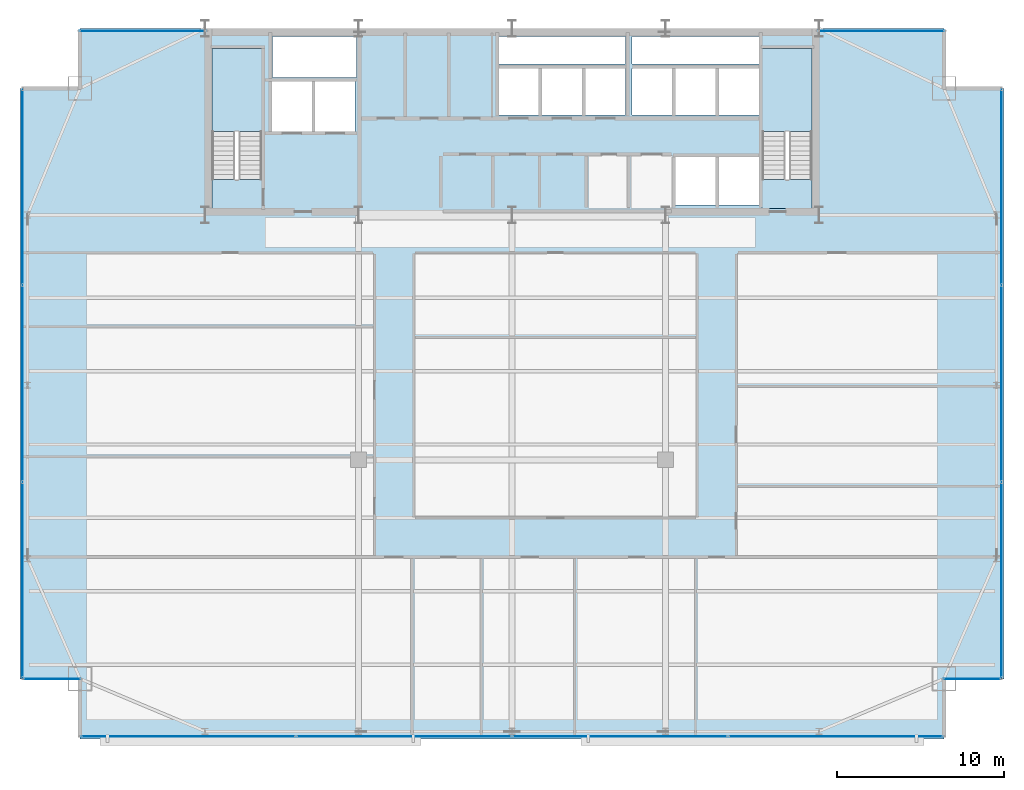
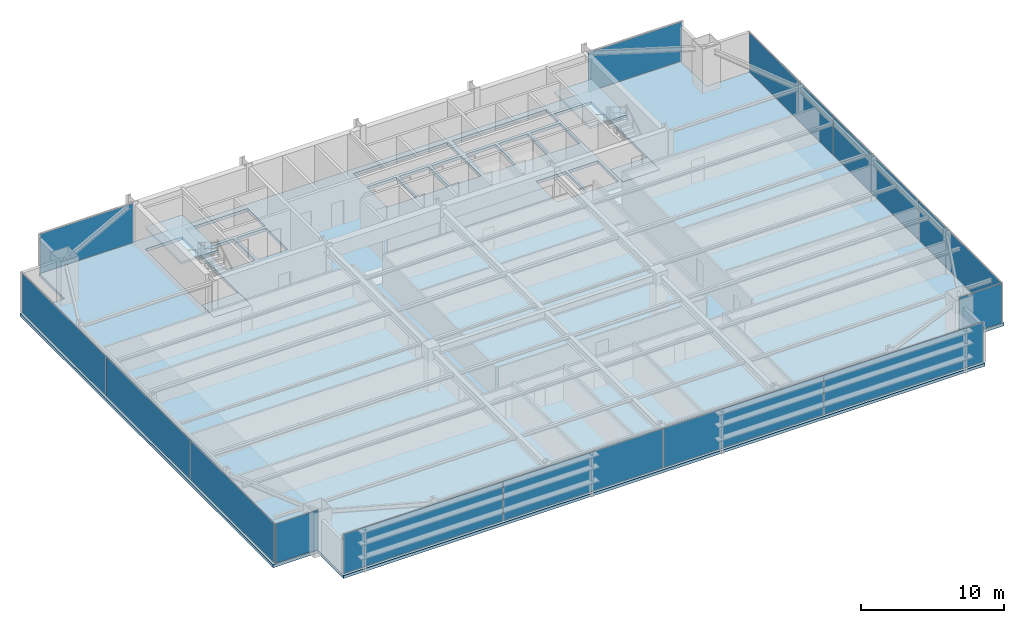
# One storey, part 26 of 33: 14 plates, 5 slabs, 9 elements without a shape of their own.
"""IFC4 building model written with IfcOpenShell, lengths in metres."""

from ifc_helpers import new_model, si_unit, direction, frame, origin, origin_2d, place, context, subcontext, project, spatial, polyline, rectangle, outline, extrude, source, transform, mapped, material, layer, layer_set, type_object, type_shapes, element, aggregate, save


model = new_model("IFC4")

# Units and contexts
model_context = context("Model", 3, precision=1e-05, world=origin(), true_north=direction((0.0, 1.0)))
body_context = subcontext(model_context, "Body", "Model", "MODEL_VIEW")
ifc_project = project(units=[si_unit("LENGTHUNIT", "METRE"), si_unit("AREAUNIT", "SQUARE_METRE"), si_unit("VOLUMEUNIT", "CUBIC_METRE"), si_unit("PLANEANGLEUNIT", "RADIAN"), si_unit("MASSUNIT", "GRAM", prefix="KILO")], contexts=[model_context])

# Site, building, storey
site_placement = place(None, origin())
site = spatial("IfcSite", under=ifc_project, at=site_placement, CompositionType="ELEMENT")
building_placement = place(site_placement, origin())
building = spatial("IfcBuilding", under=site, at=building_placement, Name="Varnel Quay Broadcast Tower", CompositionType="ELEMENT")
storey_placement = place(building_placement, frame((0.0, 0.0, 137.199951171875)))
storey = spatial("IfcBuildingStorey", under=building, at=storey_placement, Name="L33", CompositionType="ELEMENT", Elevation=137.199951171875)

# Slabs
ifc_material_1 = material(Name="Concrete CSA A23.3 C50/60", Category="concrete")
ifc_layer_1 = layer(ifc_material_1, 0.25, Name="Concrete CSA A23.3 C50/60")
ifc_layer_set_1 = layer_set([ifc_layer_1], Name="Concrete CSA A23.3 C50/60")
slab_type_1 = type_object("IfcSlabType", Name="Slab_Floor250", PredefinedType="FLOOR", material=ifc_layer_set_1)
slab_1_placement = place(storey_placement, frame((0.0, 0.0, -0.25)))
element("IfcSlab", 1, at=slab_1_placement, inside=storey, type_object=slab_type_1, Name="L33 Structural Slab", PredefinedType="FLOOR", context=body_context, shape_type="SweptSolid", body=[
    extrude(outline(polyline([(8.10009765625, 4.199951171875), (59.89990234375, 4.199951171875), (59.89990234375, 7.800048828125), (63.5, 7.800048828125), (63.5, 43.199951171875), (59.89990234375, 43.199951171875), (59.89990234375, 46.800048828125), (8.10009765625, 46.800048828125), (8.10009765625, 43.199951171875), (4.5, 43.199951171875), (4.5, 7.800048828125), (8.10009765625, 7.800048828125), (8.10009765625, 4.199951171875)]), holes=[polyline([(19.0, 36.0), (16.0, 36.0), (16.0, 45.60009765625), (19.0, 45.60009765625), (19.0, 36.0)]), polyline([(19.60009765625, 43.60009765625), (22.0, 43.60009765625), (22.0, 40.60009765625), (19.60009765625, 40.60009765625), (19.60009765625, 43.60009765625)]), polyline([(22.199951171875, 43.60009765625), (24.60009765625, 43.60009765625), (24.60009765625, 40.60009765625), (22.199951171875, 40.60009765625), (22.199951171875, 43.60009765625)]), polyline([(33.199951171875, 44.39990234375), (35.60009765625, 44.39990234375), (35.60009765625, 41.60009765625), (33.199951171875, 41.60009765625), (33.199951171875, 44.39990234375)]), polyline([(35.800048828125, 44.39990234375), (38.199951171875, 44.39990234375), (38.199951171875, 41.60009765625), (35.800048828125, 41.60009765625), (35.800048828125, 44.39990234375)]), polyline([(38.39990234375, 44.39990234375), (40.800048828125, 44.39990234375), (40.800048828125, 41.60009765625), (38.39990234375, 41.60009765625), (38.39990234375, 44.39990234375)]), polyline([(19.64990234375, 46.300048828125), (24.679931640625, 46.300048828125), (24.679931640625, 43.85009765625), (19.64990234375, 43.85009765625), (19.64990234375, 46.300048828125)]), polyline([(33.199951171875, 46.300048828125), (40.800048828125, 46.300048828125), (40.800048828125, 44.64990234375), (33.199951171875, 44.64990234375), (33.199951171875, 46.300048828125)]), polyline([(43.800048828125, 39.10009765625), (46.199951171875, 39.10009765625), (46.199951171875, 36.199951171875), (43.800048828125, 36.199951171875), (43.800048828125, 39.10009765625)]), polyline([(46.39990234375, 39.10009765625), (48.800048828125, 39.10009765625), (48.800048828125, 36.199951171875), (46.39990234375, 36.199951171875), (46.39990234375, 39.10009765625)]), polyline([(49.0, 36.0), (49.0, 45.60009765625), (52.0, 45.60009765625), (52.0, 36.0), (49.0, 36.0)]), polyline([(41.199951171875, 44.39990234375), (43.60009765625, 44.39990234375), (43.60009765625, 41.60009765625), (41.199951171875, 41.60009765625), (41.199951171875, 44.39990234375)]), polyline([(43.800048828125, 44.39990234375), (46.199951171875, 44.39990234375), (46.199951171875, 41.60009765625), (43.800048828125, 41.60009765625), (43.800048828125, 44.39990234375)]), polyline([(46.39990234375, 44.39990234375), (48.800048828125, 44.39990234375), (48.800048828125, 41.60009765625), (46.39990234375, 41.60009765625), (46.39990234375, 44.39990234375)]), polyline([(41.199951171875, 46.300048828125), (48.800048828125, 46.300048828125), (48.800048828125, 44.64990234375), (41.199951171875, 44.64990234375), (41.199951171875, 46.300048828125)])]), origin(), (0.0, 0.0, 1.0), 0.25),
])
ifc_layer_2 = layer(ifc_material_1, 0.25, Name="Concrete CSA A23.3 C50/60")
ifc_layer_set_2 = layer_set([ifc_layer_2], Name="Concrete CSA A23.3 C50/60")
slab_type_2 = type_object("IfcSlabType", Name="Slab_StairFloorLanding250", PredefinedType="FLOOR", material=ifc_layer_set_2)
slab_2_placement = place(storey_placement, frame((0.0, 0.0, -0.25)))
element("IfcSlab", 2, at=slab_2_placement, inside=storey, type_object=slab_type_2, Name="L33 ST-01 Structural Floor Landing Slab", PredefinedType="FLOOR", context=body_context, shape_type="SweptSolid", body=[
    extrude(outline(polyline([(19.0, 36.0), (19.0, 37.75), (16.0, 37.75), (16.0, 36.0), (19.0, 36.0)])), origin(), (0.0, 0.0, 1.0), 0.25),
])
slab_3_placement = place(storey_placement, frame((0.0, 0.0, -0.25)))
element("IfcSlab", 3, at=slab_3_placement, inside=storey, type_object=slab_type_2, Name="L33 ST-02 Structural Floor Landing Slab", PredefinedType="FLOOR", context=body_context, shape_type="SweptSolid", body=[
    extrude(outline(polyline([(52.0, 36.0), (52.0, 37.75), (49.0, 37.75), (49.0, 36.0), (52.0, 36.0)])), origin(), (0.0, 0.0, 1.0), 0.25),
])

# Stair, slab
ifc_material_2 = material(Name="Precast Structural Concrete C40/50", Category="concrete")
stair_type_1 = type_object("IfcStairType", Name="Stair_ST-01", PredefinedType="HALF_TURN_STAIR", material=ifc_material_2)
stair_1_placement = place(storey_placement, origin())
stair_1 = element("IfcStair", 4, at=stair_1_placement, inside=storey, type_object=stair_type_1, Name="L33 West Core Exit Stair 1", PredefinedType="HALF_TURN_STAIR")
ifc_layer_3 = layer(ifc_material_2, 0.199951171875, Name="Precast Structural Concrete C40/50")
ifc_layer_set_3 = layer_set([ifc_layer_3], Name="Precast Structural Concrete C40/50")
slab_type_3 = type_object("IfcSlabType", Name="Slab_StairLanding200", PredefinedType="LANDING", material=ifc_layer_set_3)
slab_4_placement = place(storey_placement, frame((0.0, 0.0, 1.699951171875)))
slab_4 = element("IfcSlab", 5, at=slab_4_placement, type_object=slab_type_3, Name="ST-01 landing 1", PredefinedType="LANDING", context=body_context, shape_type="SweptSolid", body=[
    extrude(outline(polyline([(19.0, 40.60009765625), (19.0, 45.60009765625), (16.0, 45.60009765625), (16.0, 40.60009765625), (19.0, 40.60009765625)])), origin(), (0.0, 0.0, 1.0), 0.2001953125),
])
aggregate(stair_1, [slab_4])

stair_type_2 = type_object("IfcStairType", Name="Stair_ST-02", PredefinedType="HALF_TURN_STAIR", material=ifc_material_2)
stair_2_placement = place(storey_placement, origin())
stair_2 = element("IfcStair", 6, at=stair_2_placement, inside=storey, type_object=stair_type_2, Name="L33 East Core Exit Stair 2", PredefinedType="HALF_TURN_STAIR")
slab_5_placement = place(storey_placement, frame((0.0, 0.0, 1.699951171875)))
slab_5 = element("IfcSlab", 7, at=slab_5_placement, type_object=slab_type_3, Name="ST-02 landing 1", PredefinedType="LANDING", context=body_context, shape_type="SweptSolid", body=[
    extrude(outline(polyline([(52.0, 40.60009765625), (52.0, 45.60009765625), (49.0, 45.60009765625), (49.0, 40.60009765625), (52.0, 40.60009765625)])), origin(), (0.0, 0.0, 1.0), 0.2001953125),
])
aggregate(stair_2, [slab_5])

# Curtain wall, plates
ifc_material_3 = material(Name="Anodised Bronze Aluminium 6063-T6", Category="aluminium")
ifc_layer_4 = layer(ifc_material_3, 0.18994140625, Name="Anodised Bronze Aluminium 6063-T6")
ifc_layer_set_4 = layer_set([ifc_layer_4], Name="Anodised Bronze Aluminium 6063-T6")
curtain_wall_type_1 = type_object("IfcCurtainWallType", Name="CW_LowerTower", PredefinedType="NOTDEFINED", material=ifc_layer_set_4)
curtain_wall_1_placement = place(storey_placement, origin())
curtain_wall_1 = element("IfcCurtainWall", 8, at=curtain_wall_1_placement, inside=storey, type_object=curtain_wall_type_1, Name="L33 South Unitised Curtain Wall 1", PredefinedType="NOTDEFINED")
ifc_material_4 = material(Name="Triple-Glazed Bronze Low-E Architectural Glass", Category="glass")
ifc_layer_5 = layer(ifc_material_4, 0.031982421875, Name="Triple-Glazed Bronze Low-E Architectural Glass")
ifc_layer_set_5 = layer_set([ifc_layer_5], Name="Triple-Glazed Bronze Low-E Architectural Glass")
plate_type_1 = type_object("IfcPlateType", Name="Panel_CWS-02", PredefinedType="CURTAIN_PANEL", material=ifc_layer_set_5)
shared_shape_1 = source(origin(), body_context, "Body", "SweptSolid", [
    extrude(rectangle(XDim=12.844970703125, YDim=0.031982421875, at=origin_2d()), origin(), (0.0, 0.0, 1.0), 3.360107421875),
])
plate_1_placement = place(storey_placement, frame((14.592529296875, 4.35009765625, 0.06005859375), z_axis=(0.0, 0.0, 1.0), x_axis=(1.0, 0.0, 0.0)))
plate_1 = element("IfcPlate", 9, at=plate_1_placement, type_object=plate_type_1, Name="CWS-02 panel 1.1", PredefinedType="CURTAIN_PANEL", context=body_context, shape_type="MappedRepresentation", body=[
    mapped(shared_shape_1, transform((0.0, 0.0, 0.0), x_axis=(1.0, 0.0, 0.0), y_axis=(0.0, 1.0, 0.0), z_axis=(0.0, 0.0, 1.0), scale=1.0)),
])
plate_2_placement = place(storey_placement, frame((53.407470703125, 4.35009765625, 0.06005859375), z_axis=(0.0, 0.0, 1.0), x_axis=(1.0, 0.0, 0.0)))
plate_2 = element("IfcPlate", 10, at=plate_2_placement, type_object=plate_type_1, Name="CWS-02 panel 4.1", PredefinedType="CURTAIN_PANEL", context=body_context, shape_type="MappedRepresentation", body=[
    mapped(shared_shape_1, transform((0.0, 0.0, 0.0), x_axis=(1.0, 0.0, 0.0), y_axis=(0.0, 1.0, 0.0), z_axis=(0.0, 0.0, 1.0), scale=1.0)),
])
ifc_material_5 = material(Name="Insulated Bronze Spandrel Glass", Category="glass")
ifc_layer_6 = layer(ifc_material_5, 0.031982421875, Name="Insulated Bronze Spandrel Glass")
ifc_layer_set_6 = layer_set([ifc_layer_6], Name="Insulated Bronze Spandrel Glass")
plate_type_2 = type_object("IfcPlateType", Name="PanelSp_CWS-02", PredefinedType="CURTAIN_PANEL", material=ifc_layer_set_6)
shared_shape_2 = source(origin(), body_context, "Body", "SweptSolid", [
    extrude(rectangle(XDim=12.8798828125, YDim=0.031982421875, at=origin_2d()), origin(), (0.0, 0.0, 1.0), 3.360107421875),
])
plate_3_placement = place(storey_placement, frame((27.52490234375, 4.35009765625, 0.06005859375), z_axis=(0.0, 0.0, 1.0), x_axis=(1.0, 0.0, 0.0)))
plate_3 = element("IfcPlate", 11, at=plate_3_placement, type_object=plate_type_2, Name="CWS-02 panel 2.1", PredefinedType="CURTAIN_PANEL", context=body_context, shape_type="MappedRepresentation", body=[
    mapped(shared_shape_2, transform((0.0, 0.0, 0.0), x_axis=(1.0, 0.0, 0.0), y_axis=(0.0, 1.0, 0.0), z_axis=(0.0, 0.0, 1.0), scale=1.0)),
])
plate_4_placement = place(storey_placement, frame((40.47509765625, 4.35009765625, 0.06005859375), z_axis=(0.0, 0.0, 1.0), x_axis=(1.0, 0.0, 0.0)))
plate_4 = element("IfcPlate", 12, at=plate_4_placement, type_object=plate_type_2, Name="CWS-02 panel 3.1", PredefinedType="CURTAIN_PANEL", context=body_context, shape_type="MappedRepresentation", body=[
    mapped(shared_shape_2, transform((0.0, 0.0, 0.0), x_axis=(1.0, 0.0, 0.0), y_axis=(0.0, 1.0, 0.0), z_axis=(0.0, 0.0, 1.0), scale=1.0)),
])
aggregate(curtain_wall_1, [plate_1, plate_3, plate_4, plate_2])

curtain_wall_2_placement = place(storey_placement, origin())
curtain_wall_2 = element("IfcCurtainWall", 13, at=curtain_wall_2_placement, inside=storey, type_object=curtain_wall_type_1, Name="L33 West Unitised Curtain Wall", PredefinedType="NOTDEFINED")
shared_shape_3 = source(origin(), body_context, "Body", "SweptSolid", [
    extrude(rectangle(XDim=11.695068359375, YDim=0.031982421875, at=origin_2d()), origin(), (0.0, 0.0, 1.0), 3.360107421875),
])
type_shapes(plate_type_2, [shared_shape_2, shared_shape_3])
plate_5_placement = place(storey_placement, frame((4.64990234375, 13.717529296875, 0.06005859375), z_axis=(0.0, 0.0, 1.0), x_axis=(0.0, 1.0, 0.0)))
plate_5 = element("IfcPlate", 14, at=plate_5_placement, type_object=plate_type_2, Name="CWS-02 panel 1.1", PredefinedType="CURTAIN_PANEL", context=body_context, shape_type="MappedRepresentation", body=[
    mapped(shared_shape_3, transform((0.0, 0.0, 0.0), x_axis=(1.0, 0.0, 0.0), y_axis=(0.0, 1.0, 0.0), z_axis=(0.0, 0.0, 1.0), scale=1.0)),
])
plate_6_placement = place(storey_placement, frame((4.64990234375, 37.282470703125, 0.06005859375), z_axis=(0.0, 0.0, 1.0), x_axis=(0.0, 1.0, 0.0)))
plate_6 = element("IfcPlate", 15, at=plate_6_placement, type_object=plate_type_2, Name="CWS-02 panel 3.1", PredefinedType="CURTAIN_PANEL", context=body_context, shape_type="MappedRepresentation", body=[
    mapped(shared_shape_3, transform((0.0, 0.0, 0.0), x_axis=(1.0, 0.0, 0.0), y_axis=(0.0, 1.0, 0.0), z_axis=(0.0, 0.0, 1.0), scale=1.0)),
])

curtain_wall_3_placement = place(storey_placement, origin())
curtain_wall_3 = element("IfcCurtainWall", 16, at=curtain_wall_3_placement, inside=storey, type_object=curtain_wall_type_1, Name="L33 East Unitised Curtain Wall", PredefinedType="NOTDEFINED")
plate_7_placement = place(storey_placement, frame((63.35009765625, 13.717529296875, 0.06005859375), z_axis=(0.0, 0.0, 1.0), x_axis=(0.0, 1.0, 0.0)))
plate_7 = element("IfcPlate", 17, at=plate_7_placement, type_object=plate_type_2, Name="CWS-02 panel 1.1", PredefinedType="CURTAIN_PANEL", context=body_context, shape_type="MappedRepresentation", body=[
    mapped(shared_shape_3, transform((0.0, 0.0, 0.0), x_axis=(1.0, 0.0, 0.0), y_axis=(0.0, 1.0, 0.0), z_axis=(0.0, 0.0, 1.0), scale=1.0)),
])
plate_8_placement = place(storey_placement, frame((63.35009765625, 37.282470703125, 0.06005859375), z_axis=(0.0, 0.0, 1.0), x_axis=(0.0, 1.0, 0.0)))
plate_8 = element("IfcPlate", 18, at=plate_8_placement, type_object=plate_type_2, Name="CWS-02 panel 3.1", PredefinedType="CURTAIN_PANEL", context=body_context, shape_type="MappedRepresentation", body=[
    mapped(shared_shape_3, transform((0.0, 0.0, 0.0), x_axis=(1.0, 0.0, 0.0), y_axis=(0.0, 1.0, 0.0), z_axis=(0.0, 0.0, 1.0), scale=1.0)),
])

# Plate
shared_shape_4 = source(origin(), body_context, "Body", "SweptSolid", [
    extrude(rectangle(XDim=11.72998046875, YDim=0.031982421875, at=origin_2d()), origin(), (0.0, 0.0, 1.0), 3.360107421875),
])
plate_9_placement = place(storey_placement, frame((4.64990234375, 25.5, 0.06005859375), z_axis=(0.0, 0.0, 1.0), x_axis=(0.0, 1.0, 0.0)))
plate_9 = element("IfcPlate", 19, at=plate_9_placement, type_object=plate_type_1, Name="CWS-02 panel 2.1", PredefinedType="CURTAIN_PANEL", context=body_context, shape_type="MappedRepresentation", body=[
    mapped(shared_shape_4, transform((0.0, 0.0, 0.0), x_axis=(1.0, 0.0, 0.0), y_axis=(0.0, 1.0, 0.0), z_axis=(0.0, 0.0, 1.0), scale=1.0)),
])

aggregate(curtain_wall_2, [plate_5, plate_9, plate_6])

plate_10_placement = place(storey_placement, frame((63.35009765625, 25.5, 0.06005859375), z_axis=(0.0, 0.0, 1.0), x_axis=(0.0, 1.0, 0.0)))
plate_10 = element("IfcPlate", 20, at=plate_10_placement, type_object=plate_type_1, Name="CWS-02 panel 2.1", PredefinedType="CURTAIN_PANEL", context=body_context, shape_type="MappedRepresentation", body=[
    mapped(shared_shape_4, transform((0.0, 0.0, 0.0), x_axis=(1.0, 0.0, 0.0), y_axis=(0.0, 1.0, 0.0), z_axis=(0.0, 0.0, 1.0), scale=1.0)),
])

aggregate(curtain_wall_3, [plate_7, plate_10, plate_8])

# Curtain wall, plate
ifc_layer_7 = layer(ifc_material_3, 0.18994140625, Name="Anodised Bronze Aluminium 6063-T6")
ifc_layer_set_7 = layer_set([ifc_layer_7], Name="Anodised Bronze Aluminium 6063-T6")
curtain_wall_type_2 = type_object("IfcCurtainWallType", Name="CW_NotchCorner", PredefinedType="NOTDEFINED", material=ifc_layer_set_7)
curtain_wall_4_placement = place(storey_placement, origin())
curtain_wall_4 = element("IfcCurtainWall", 21, at=curtain_wall_4_placement, inside=storey, type_object=curtain_wall_type_2, Name="L33 SW Notch Curtain Wall", PredefinedType="NOTDEFINED")
ifc_layer_8 = layer(ifc_material_4, 0.028076171875, Name="Triple-Glazed Bronze Low-E Architectural Glass")
ifc_layer_set_8 = layer_set([ifc_layer_8], Name="Triple-Glazed Bronze Low-E Architectural Glass")
plate_type_3 = type_object("IfcPlateType", Name="Panel_CWS-04", PredefinedType="CURTAIN_PANEL", material=ifc_layer_set_8)
shared_shape_5 = source(origin(), body_context, "Body", "SweptSolid", [
    extrude(rectangle(XDim=3.409912109375, YDim=0.028076171875, at=origin_2d()), origin(), (0.0, 0.0, 1.0), 3.3701171875),
])
type_shapes(plate_type_3, [shared_shape_5])
plate_11_placement = place(storey_placement, frame((6.4150390625, 7.800048828125, 0.054931640625), z_axis=(0.0, 0.0, 1.0), x_axis=(1.0, 0.0, 0.0)))
plate_11 = element("IfcPlate", 22, at=plate_11_placement, type_object=plate_type_3, Name="CWS-04 panel 1.1", PredefinedType="CURTAIN_PANEL", context=body_context, shape_type="MappedRepresentation", body=[
    mapped(shared_shape_5, transform((0.0, 0.0, 0.0), x_axis=(1.0, 0.0, 0.0), y_axis=(0.0, 1.0, 0.0), z_axis=(0.0, 0.0, 1.0), scale=1.0)),
])
aggregate(curtain_wall_4, [plate_11])

curtain_wall_5_placement = place(storey_placement, origin())
curtain_wall_5 = element("IfcCurtainWall", 23, at=curtain_wall_5_placement, inside=storey, type_object=curtain_wall_type_2, Name="L33 SE Notch Curtain Wall", PredefinedType="NOTDEFINED")
plate_12_placement = place(storey_placement, frame((61.5849609375, 7.800048828125, 0.054931640625), z_axis=(0.0, 0.0, 1.0), x_axis=(1.0, 0.0, 0.0)))
plate_12 = element("IfcPlate", 24, at=plate_12_placement, type_object=plate_type_3, Name="CWS-04 panel 1.1", PredefinedType="CURTAIN_PANEL", context=body_context, shape_type="MappedRepresentation", body=[
    mapped(shared_shape_5, transform((0.0, 0.0, 0.0), x_axis=(1.0, 0.0, 0.0), y_axis=(0.0, 1.0, 0.0), z_axis=(0.0, 0.0, 1.0), scale=1.0)),
])
aggregate(curtain_wall_5, [plate_12])

curtain_wall_6_placement = place(storey_placement, origin())
curtain_wall_6 = element("IfcCurtainWall", 25, at=curtain_wall_6_placement, inside=storey, type_object=curtain_wall_type_1, Name="L33 NW Wing Curtain Wall", PredefinedType="NOTDEFINED")
shared_shape_6 = source(origin(), body_context, "Body", "SweptSolid", [
    extrude(rectangle(XDim=7.5400390625, YDim=0.031982421875, at=origin_2d()), origin(), (0.0, 0.0, 1.0), 3.360107421875),
])
type_shapes(plate_type_1, [shared_shape_1, shared_shape_4, shared_shape_6])
plate_13_placement = place(storey_placement, frame((11.860107421875, 46.64990234375, 0.06005859375), z_axis=(0.0, 0.0, 1.0), x_axis=(1.0, 0.0, 0.0)))
plate_13 = element("IfcPlate", 26, at=plate_13_placement, type_object=plate_type_1, Name="CWS-02 panel 1.1", PredefinedType="CURTAIN_PANEL", context=body_context, shape_type="MappedRepresentation", body=[
    mapped(shared_shape_6, transform((0.0, 0.0, 0.0), x_axis=(1.0, 0.0, 0.0), y_axis=(0.0, 1.0, 0.0), z_axis=(0.0, 0.0, 1.0), scale=1.0)),
])
aggregate(curtain_wall_6, [plate_13])

curtain_wall_7_placement = place(storey_placement, origin())
curtain_wall_7 = element("IfcCurtainWall", 27, at=curtain_wall_7_placement, inside=storey, type_object=curtain_wall_type_1, Name="L33 NE Wing Curtain Wall", PredefinedType="NOTDEFINED")
plate_14_placement = place(storey_placement, frame((56.139892578125, 46.64990234375, 0.06005859375), z_axis=(0.0, 0.0, 1.0), x_axis=(1.0, 0.0, 0.0)))
plate_14 = element("IfcPlate", 28, at=plate_14_placement, type_object=plate_type_1, Name="CWS-02 panel 1.1", PredefinedType="CURTAIN_PANEL", context=body_context, shape_type="MappedRepresentation", body=[
    mapped(shared_shape_6, transform((0.0, 0.0, 0.0), x_axis=(1.0, 0.0, 0.0), y_axis=(0.0, 1.0, 0.0), z_axis=(0.0, 0.0, 1.0), scale=1.0)),
])
aggregate(curtain_wall_7, [plate_14])

save(model, "model.ifc")
